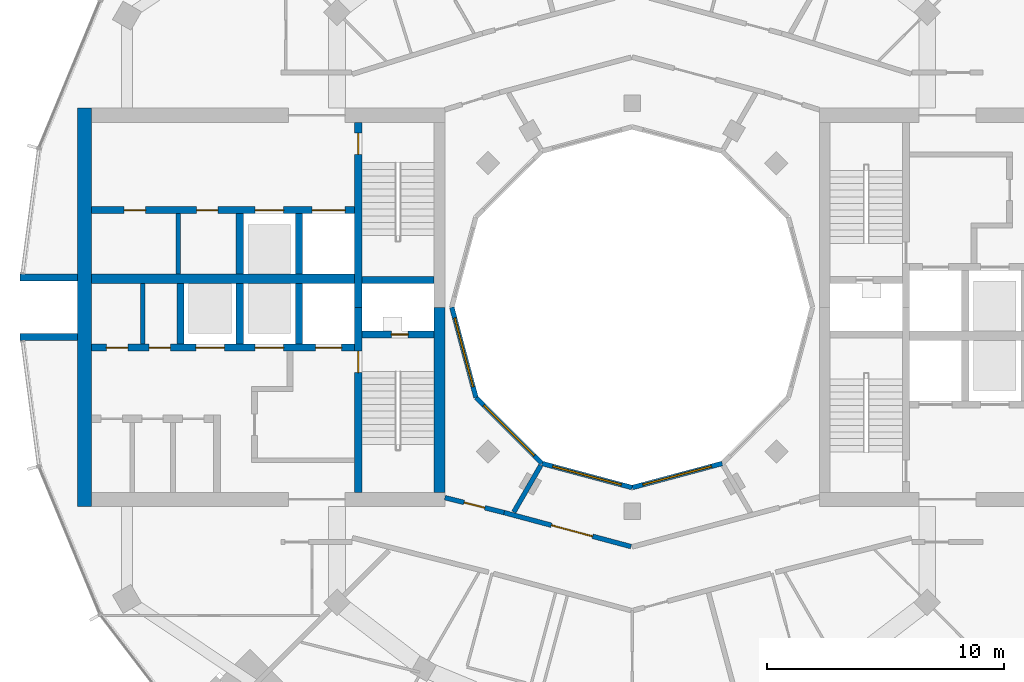
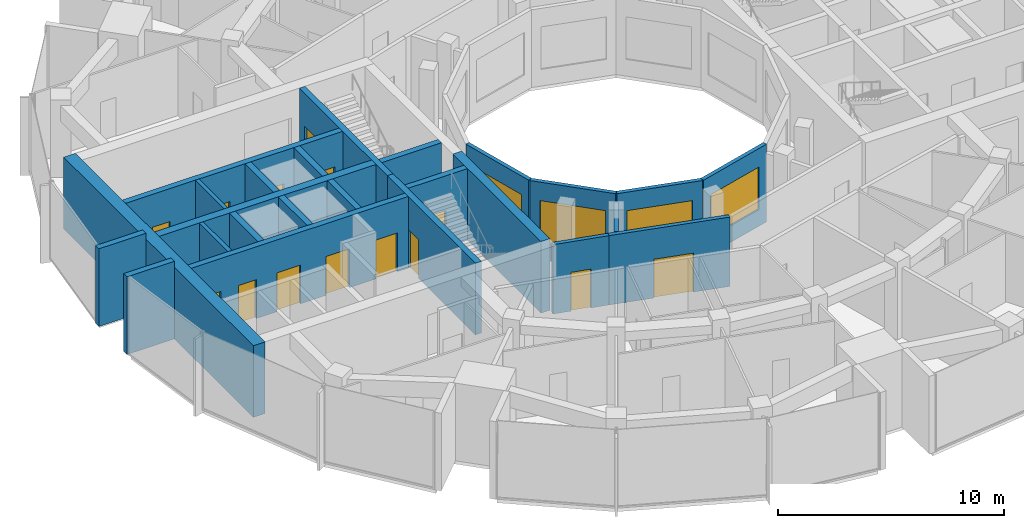
# One storey, part 9 of 15: 25 walls, 14 doors, 4 windows, 18 openings.
"""IFC4 building model written with IfcOpenShell, lengths in metres."""

import ifcopenshell
import ifcopenshell.guid

model = None  # the IFC model being written
_history = None  # IfcOwnerHistory: only IFC2X3 demands one
_inside = {}  # id of a spatial element -> (the spatial element, [elements in it])
_under = {}  # id of a project, library or spatial element -> (it, [spatial elements below it])
_declared = {}  # id of a project -> (the project, [libraries it declares])
_typed = {}  # id of a type object -> (the type object, [elements of that type])
_made_of = {}  # id of a material, layer set ... -> (it, [elements and type objects made of it])


def new_model(schema):
    """Start an empty IFC model of exactly this schema.

    Asked for "IFC4X3", IfcOpenShell would pick the latest addendum, in which some entities
    have other attributes; the version numbers below select the first issue.
    IFC2X3 requires an IfcOwnerHistory on every rooted entity: one is made here for all.
    """
    global model, _history
    if schema == "IFC4X3":
        model = ifcopenshell.file(schema_version=(4, 3, 0, 0))
    else:
        model = ifcopenshell.file(schema=schema)
    _inside.clear()
    _under.clear()
    _declared.clear()
    _typed.clear()
    _made_of.clear()
    _history = None
    if model.schema == "IFC2X3":
        org = make("IfcOrganization", Name="unknown")
        user = make(
            "IfcPersonAndOrganization",
            ThePerson=make("IfcPerson", FamilyName="unknown"),
            TheOrganization=org,
        )
        app = make(
            "IfcApplication",
            ApplicationDeveloper=org,
            Version="unknown",
            ApplicationFullName="unknown",
            ApplicationIdentifier="unknown",
        )
        _history = make(
            "IfcOwnerHistory",
            OwningUser=user,
            OwningApplication=app,
            ChangeAction="ADDED",
            CreationDate=0,
        )
    return model


def make(cls, **values):
    """One entity of the class cls with the attributes given. An attribute that is None is left unset."""
    return model.create_entity(
        cls, **{name: value for name, value in values.items() if value is not None}
    )


def rooted(cls, **values):
    """An entity with a GlobalId (a new one), such as an element, a storey or a relation."""
    return make(cls, GlobalId=ifcopenshell.guid.new(), OwnerHistory=_history, **values)


def si_unit(unit_type, name, prefix=None):
    """IfcSIUnit, for example si_unit("LENGTHUNIT", "METRE", prefix="MILLI")."""
    return make("IfcSIUnit", UnitType=unit_type, Prefix=prefix, Name=name)


def assignment(units):
    """IfcUnitAssignment: the units of a project."""
    return None if units is None else make("IfcUnitAssignment", Units=units)


def point(xyz):
    """IfcCartesianPoint."""
    return None if xyz is None else make("IfcCartesianPoint", Coordinates=xyz)


def direction(xyz):
    """IfcDirection."""
    return None if xyz is None else make("IfcDirection", DirectionRatios=xyz)


def frame(location, z_axis=None, x_axis=None):
    """IfcAxis2Placement3D, a coordinate frame: its origin and axes. An axis left out is left unset."""
    return make(
        "IfcAxis2Placement3D",
        Location=point(location),
        Axis=direction(z_axis),
        RefDirection=direction(x_axis),
    )


def frame_2d(location, x_axis=None):
    """IfcAxis2Placement2D, a coordinate frame in the plane: its origin and x axis."""
    return make(
        "IfcAxis2Placement2D", Location=point(location), RefDirection=direction(x_axis)
    )


def origin():
    """The frame at (0, 0, 0) with its axes left unset."""
    return frame((0.0, 0.0, 0.0))


def place(relative_to, where):
    """IfcLocalPlacement: puts the frame where relative to a parent placement (None: the world)."""
    return make(
        "IfcLocalPlacement", PlacementRelTo=relative_to, RelativePlacement=where
    )


def context(
    kind, dimensions, precision=None, world=None, true_north=None, identifier=None
):
    """IfcGeometricRepresentationContext, for example the 3D "Model" context."""
    return make(
        "IfcGeometricRepresentationContext",
        ContextIdentifier=identifier,
        ContextType=kind,
        CoordinateSpaceDimension=dimensions,
        Precision=precision,
        WorldCoordinateSystem=world,
        TrueNorth=true_north,
    )


def subcontext(parent, identifier, kind, view, scale=None):
    """IfcGeometricRepresentationSubContext, for example "Body" below "Model"."""
    return make(
        "IfcGeometricRepresentationSubContext",
        ContextIdentifier=identifier,
        ContextType=kind,
        ParentContext=parent,
        TargetScale=scale,
        TargetView=view,
    )


def project(units=None, contexts=None):
    """IfcProject with its units and contexts."""
    return rooted(
        "IfcProject",
        Name="project",
        RepresentationContexts=contexts,
        UnitsInContext=assignment(units),
    )


def spatial(cls, under=None, at=None, **own):
    """A site, building, storey or space (cls), placed at a placement, below another one or the project."""
    s = rooted(cls, ObjectPlacement=at, **own)
    if under is not None:
        _under.setdefault(under.id(), (under, []))[1].append(s)
    return s


def profile(cls, at=None, kind="AREA", **sizes):
    """A parametric profile (cls). Its sizes go by their IFC names, for example OverallWidth=200.0."""
    return make(cls, ProfileType=kind, Position=at, **sizes)


def rectangle(**sizes):
    """IfcRectangleProfileDef."""
    return profile("IfcRectangleProfileDef", **sizes)


def extrude(swept, where, along, depth):
    """IfcExtrudedAreaSolid: the profile swept, set in the frame where, extruded along a direction by depth."""
    return make(
        "IfcExtrudedAreaSolid",
        SweptArea=swept,
        Position=where,
        ExtrudedDirection=direction(along),
        Depth=depth,
    )


def shape(context_of_items, identifier, shape_type, items):
    """IfcShapeRepresentation: the items that make up one representation, for example the "Body"."""
    return make(
        "IfcShapeRepresentation",
        ContextOfItems=context_of_items,
        RepresentationIdentifier=identifier,
        RepresentationType=shape_type,
        Items=items,
    )


def material(Name=None, Category=None):
    """IfcMaterial."""
    return make("IfcMaterial", Name=Name, Category=Category)


def layer(
    of_material, thickness, ventilated=None, Name=None, Category=None, Priority=None
):
    """IfcMaterialLayer: one layer of a wall or slab, of a material (None: an air gap)."""
    return make(
        "IfcMaterialLayer",
        Material=of_material,
        LayerThickness=thickness,
        IsVentilated=ventilated,
        Name=Name,
        Category=Category,
        Priority=Priority,
    )


def layer_set(layers, Name=None):
    """IfcMaterialLayerSet."""
    return make("IfcMaterialLayerSet", MaterialLayers=layers, LayerSetName=Name)


def made_of(thing, what):
    """Note that an element or type object is made of a material, layer set ...; save() writes the relation."""
    if what is not None:
        _made_of.setdefault(what.id(), (what, []))[1].append(thing)
    return thing


def type_object(cls, material=None, **own):
    """A type object (cls), such as IfcWallType, which elements share."""
    return made_of(rooted(cls, **own), material)


def element(
    cls,
    number,
    at=None,
    inside=None,
    cuts=None,
    type_object=None,
    material=None,
    context=None,
    identifier="Body",
    shape_type=None,
    held_by="IfcProductDefinitionShape",
    body=None,
    shapes=None,
    **own,
):
    """One element of the class cls, such as IfcWall. Its Tag is "e" and its number.

    at: its placement. inside: the storey or other place that contains it. cuts: it is an
    opening in that element (IfcRelVoidsElement). A single representation is given by context,
    identifier, shape_type and body (its items); several are given by shapes. held_by: the class
    of the entity that holds the representations. save() writes the other relations.
    """
    e = rooted(cls, Tag="e%d" % number, ObjectPlacement=at, **own)
    if body is not None:
        shapes = [shape(context, identifier, shape_type, body)]
    if shapes is not None:
        e.Representation = make(held_by, Representations=shapes)
    if inside is not None:
        _inside.setdefault(inside.id(), (inside, []))[1].append(e)
    if cuts is not None:
        rooted(
            "IfcRelVoidsElement", RelatingBuildingElement=cuts, RelatedOpeningElement=e
        )
    if type_object is not None:
        _typed.setdefault(type_object.id(), (type_object, []))[1].append(e)
    return made_of(e, material)


def fill(opening, filler):
    """IfcRelFillsElement: the door or window that sits in an opening."""
    return rooted(
        "IfcRelFillsElement",
        RelatingOpeningElement=opening,
        RelatedBuildingElement=filler,
    )


def aggregate(whole, parts):
    """IfcRelAggregates: a whole, such as a stair, and the parts it consists of."""
    return rooted("IfcRelAggregates", RelatingObject=whole, RelatedObjects=parts)


def save(model, path):
    """Write the relations noted so far, then the file.

    IfcRelAggregates (storeys below a building ...), IfcRelContainedInSpatialStructure (elements
    in a storey), IfcRelDefinesByType, IfcRelAssociatesMaterial and IfcRelDeclares: one each for
    every whole, place, type object, material and project.
    """
    for whole, parts in _under.values():
        aggregate(whole, parts)
    for where, things in _inside.values():
        rooted(
            "IfcRelContainedInSpatialStructure",
            RelatedElements=things,
            RelatingStructure=where,
        )
    for kind, things in _typed.values():
        rooted("IfcRelDefinesByType", RelatedObjects=things, RelatingType=kind)
    for what, things in _made_of.values():
        rooted("IfcRelAssociatesMaterial", RelatedObjects=things, RelatingMaterial=what)
    for by, libraries in _declared.values():
        rooted("IfcRelDeclares", RelatingContext=by, RelatedDefinitions=libraries)
    model.write(path)


model = new_model("IFC4")

# Units and contexts
model_context = context("Model", 3, precision=1e-05, world=origin(), true_north=direction((0.0, 1.0)))
body_context = subcontext(model_context, "Body", "Model", "MODEL_VIEW")
ifc_project = project(units=[si_unit("LENGTHUNIT", "METRE"), si_unit("AREAUNIT", "SQUARE_METRE"), si_unit("VOLUMEUNIT", "CUBIC_METRE"), si_unit("PLANEANGLEUNIT", "RADIAN"), si_unit("MASSUNIT", "GRAM", prefix="KILO")], contexts=[model_context])

# Site, building, storey
site_placement = place(None, origin())
site = spatial("IfcSite", under=ifc_project, at=site_placement, CompositionType="ELEMENT")
building_placement = place(site_placement, origin())
building = spatial("IfcBuilding", under=site, at=building_placement, Name="Torre Brocal", CompositionType="ELEMENT")
storey_placement = place(building_placement, frame((0.0, 0.0, 249.89990234375)))
storey = spatial("IfcBuildingStorey", under=building, at=storey_placement, Name="L57", CompositionType="ELEMENT", Elevation=249.89990234375)

# Walls
ifc_material_1 = material(Name="Masonry block", Category="masonry")
ifc_layer_1 = layer(ifc_material_1, 0.199951171875)
ifc_layer_set_1 = layer_set([ifc_layer_1], Name="Masonry block")
wall_type_1 = type_object("IfcWallType", Name="CORE PARTITION 200", PredefinedType="PARTITIONING", material=ifc_layer_set_1)
for number, where, z_axis, x_axis, name in (
    (1, (59.360107421875, 76.0, 0.0), (0.0, 0.0, 1.0), (0.0, -1.0, 0.0), "Wall CP200"),
    (2, (60.860107421875, 78.949951171875, 0.0), (0.0, 0.0, 1.0), (0.0, -1.0, 0.0), "Wall CP200"),
):
    element("IfcWall", number, at=place(storey_placement, frame(where, z_axis=z_axis, x_axis=x_axis)), inside=storey, type_object=wall_type_1, Name=name, PredefinedType="PARTITIONING", context=body_context, shape_type="SweptSolid", body=[
        extrude(rectangle(XDim=2.550048828125, YDim=0.199951171875, at=frame_2d((1.27490234375, 0.0))), origin(), (0.0, 0.0, 1.0), 3.880126953125),
    ])

# Wall, opening, door
ifc_material_2 = material(Name="Concrete C60", Category="concrete")
ifc_layer_2 = layer(ifc_material_2, 0.300048828125)
ifc_layer_set_2 = layer_set([ifc_layer_2], Name="Concrete C60")
wall_type_2 = type_object("IfcWallType", Name="CORE WALL 300 C60", PredefinedType="SHEAR", material=ifc_layer_set_2)
wall_1_placement = place(storey_placement, frame((68.449951171875, 75.0, 0.0), z_axis=(0.0, 0.0, 1.0), x_axis=(0.0, -1.0, 0.0)))
wall_1 = element("IfcWall", 3, at=wall_1_placement, inside=storey, type_object=wall_type_2, Name="Wall CW300-60", PredefinedType="SHEAR", context=body_context, shape_type="SweptSolid", body=[
    extrude(rectangle(XDim=7.800048828125, YDim=0.300048828125, at=frame_2d((3.89990234375, 0.0))), origin(), (0.0, 0.0, 1.0), 3.880126953125),
])
opening_1_placement = place(wall_1_placement, frame((1.85009765625, 0.0, 0.0)))
opening_1 = element("IfcOpeningElement", 4, at=opening_1_placement, cuts=wall_1, Name="Opening W-D02", PredefinedType="OPENING", context=body_context, shape_type="SweptSolid", body=[
    extrude(rectangle(XDim=0.89990234375, YDim=2.10009765625, at=frame_2d((0.449951171875, 1.050048828125))), frame((0.0, 0.159912109375, 0.0), z_axis=(0.0, -1.0, 0.0), x_axis=(1.0, 0.0, 0.0)), (0.0, 0.0, 1.0), 0.320068359375),
])
ifc_material_3 = material(Name="Steel A653", Category="steel")
door_type_1 = type_object("IfcDoorType", Name="STAIR DOOR FD120 900X2100", OperationType="SINGLE_SWING_RIGHT", PredefinedType="DOOR", material=ifc_material_3)
door_1_placement = place(opening_1_placement, origin())
door_1 = element("IfcDoor", 5, at=door_1_placement, inside=storey, type_object=door_type_1, Name="Door W-D02", OperationType="SINGLE_SWING_LEFT", OverallHeight=2.10009765625, OverallWidth=0.89990234375, PredefinedType="DOOR", context=body_context, shape_type="SweptSolid", body=[
    extrude(rectangle(XDim=0.89990234375, YDim=2.10009765625, at=frame_2d((0.449951171875, 1.050048828125))), frame((0.0, 0.02490234375, 0.0), z_axis=(0.0, -1.0, 0.0), x_axis=(1.0, 0.0, 0.0)), (0.0, 0.0, 1.0), 0.050048828125),
])
fill(opening_1, door_1)

wall_2_placement = place(storey_placement, frame((68.449951171875, 82.800048828125, 0.0), z_axis=(0.0, 0.0, 1.0), x_axis=(0.0, -1.0, 0.0)))
wall_2 = element("IfcWall", 6, at=wall_2_placement, inside=storey, type_object=wall_type_2, Name="Wall CW300-60", PredefinedType="SHEAR", context=body_context, shape_type="SweptSolid", body=[
    extrude(rectangle(XDim=7.800048828125, YDim=0.300048828125, at=frame_2d((3.89990234375, 0.0))), origin(), (0.0, 0.0, 1.0), 3.880126953125),
])
opening_2_placement = place(wall_2_placement, frame((0.449951171875, 0.0, 0.0)))
opening_2 = element("IfcOpeningElement", 7, at=opening_2_placement, cuts=wall_2, Name="Opening W-D03", PredefinedType="OPENING", context=body_context, shape_type="SweptSolid", body=[
    extrude(rectangle(XDim=0.89990234375, YDim=2.10009765625, at=frame_2d((0.449951171875, 1.050048828125))), frame((0.0, 0.159912109375, 0.0), z_axis=(0.0, -1.0, 0.0), x_axis=(1.0, 0.0, 0.0)), (0.0, 0.0, 1.0), 0.320068359375),
])
door_2_placement = place(opening_2_placement, origin())
door_2 = element("IfcDoor", 8, at=door_2_placement, inside=storey, type_object=door_type_1, Name="Door W-D03", OperationType="SINGLE_SWING_LEFT", OverallHeight=2.10009765625, OverallWidth=0.89990234375, PredefinedType="DOOR", context=body_context, shape_type="SweptSolid", body=[
    extrude(rectangle(XDim=0.89990234375, YDim=2.10009765625, at=frame_2d((0.449951171875, 1.050048828125))), frame((0.0, 0.02490234375, 0.0), z_axis=(0.0, -1.0, 0.0), x_axis=(1.0, 0.0, 0.0)), (0.0, 0.0, 1.0), 0.050048828125),
])
fill(opening_2, door_2)

wall_3_placement = place(storey_placement, frame((71.64990234375, 73.85009765625, 0.0), z_axis=(0.0, 0.0, 1.0), x_axis=(-1.0, 0.0, 0.0)))
wall_3 = element("IfcWall", 9, at=wall_3_placement, inside=storey, type_object=wall_type_2, Name="Wall CW300-60", PredefinedType="SHEAR", context=body_context, shape_type="SweptSolid", body=[
    extrude(rectangle(XDim=3.0498046875, YDim=0.300048828125, at=frame_2d((1.52490234375, 0.0))), origin(), (0.0, 0.0, 1.0), 3.880126953125),
])
opening_3_placement = place(wall_3_placement, frame((1.10009765625, 0.0, 0.0)))
opening_3 = element("IfcOpeningElement", 10, at=opening_3_placement, cuts=wall_3, Name="Opening W-D01", PredefinedType="OPENING", context=body_context, shape_type="SweptSolid", body=[
    extrude(rectangle(XDim=0.699951171875, YDim=2.0, at=frame_2d((0.35009765625, 1.0))), frame((0.0, 0.159912109375, 0.0), z_axis=(0.0, -1.0, 0.0), x_axis=(1.0, 0.0, 0.0)), (0.0, 0.0, 1.0), 0.320068359375),
])
ifc_material_4 = material(Name="Steel A653", Category="steel")
door_type_2 = type_object("IfcDoorType", Name="RISER DOOR FD120 700X2000", OperationType="SINGLE_SWING_LEFT", PredefinedType="DOOR", material=ifc_material_4)
door_3_placement = place(opening_3_placement, frame((0.699951171875, 0.0, 0.0), z_axis=(0.0, 0.0, 1.0), x_axis=(-1.0, 0.0, 0.0)))
door_3 = element("IfcDoor", 11, at=door_3_placement, inside=storey, type_object=door_type_2, Name="Door W-D01", OperationType="SINGLE_SWING_RIGHT", OverallHeight=2.0, OverallWidth=0.699951171875, PredefinedType="DOOR", context=body_context, shape_type="SweptSolid", body=[
    extrude(rectangle(XDim=0.699951171875, YDim=2.0, at=frame_2d((0.35009765625, 1.0))), frame((0.0, 0.02490234375, 0.0), z_axis=(0.0, -1.0, 0.0), x_axis=(1.0, 0.0, 0.0)), (0.0, 0.0, 1.0), 0.050048828125),
])
fill(opening_3, door_3)

# Wall
wall_4_placement = place(storey_placement, frame((71.64990234375, 76.14990234375, 0.0), z_axis=(0.0, 0.0, 1.0), x_axis=(-1.0, 0.0, 0.0)))
element("IfcWall", 12, at=wall_4_placement, inside=storey, type_object=wall_type_2, Name="Wall CW300-60", PredefinedType="SHEAR", context=body_context, shape_type="SweptSolid", body=[
    extrude(rectangle(XDim=3.0498046875, YDim=0.300048828125, at=frame_2d((1.52490234375, 0.0))), origin(), (0.0, 0.0, 1.0), 3.880126953125),
])

# Wall, openings, doors
wall_5_placement = place(storey_placement, frame((68.300048828125, 73.300048828125, 0.0), z_axis=(0.0, 0.0, 1.0), x_axis=(-1.0, 0.0, 0.0)))
wall_5 = element("IfcWall", 13, at=wall_5_placement, inside=storey, type_object=wall_type_2, Name="Wall CW300-60", PredefinedType="SHEAR", context=body_context, shape_type="SweptSolid", body=[
    extrude(rectangle(XDim=11.10009765625, YDim=0.300048828125, at=frame_2d((5.550048828125, 0.0))), origin(), (0.0, 0.0, 1.0), 3.880126953125),
])
opening_4_placement = place(wall_5_placement, frame((0.550048828125, 0.0, 0.0)))
opening_4 = element("IfcOpeningElement", 14, at=opening_4_placement, cuts=wall_5, Name="Opening LD", PredefinedType="OPENING", context=body_context, shape_type="SweptSolid", body=[
    extrude(rectangle(XDim=1.10009765625, YDim=2.10009765625, at=frame_2d((0.550048828125, 1.050048828125))), frame((0.0, 0.159912109375, 0.0), z_axis=(0.0, -1.0, 0.0), x_axis=(1.0, 0.0, 0.0)), (0.0, 0.0, 1.0), 0.320068359375),
])
opening_5_placement = place(wall_5_placement, frame((3.0, 0.0, 0.0)))
opening_5 = element("IfcOpeningElement", 15, at=opening_5_placement, cuts=wall_5, Name="Opening LD12", PredefinedType="OPENING", context=body_context, shape_type="SweptSolid", body=[
    extrude(rectangle(XDim=1.199951171875, YDim=2.10009765625, at=frame_2d((0.60009765625, 1.050048828125))), frame((0.0, 0.159912109375, 0.0), z_axis=(0.0, -1.0, 0.0), x_axis=(1.0, 0.0, 0.0)), (0.0, 0.0, 1.0), 0.320068359375),
])
opening_6_placement = place(wall_5_placement, frame((5.5, 0.0, 0.0)))
opening_6 = element("IfcOpeningElement", 16, at=opening_6_placement, cuts=wall_5, Name="Opening LD12", PredefinedType="OPENING", context=body_context, shape_type="SweptSolid", body=[
    extrude(rectangle(XDim=1.199951171875, YDim=2.10009765625, at=frame_2d((0.60009765625, 1.050048828125))), frame((0.0, 0.159912109375, 0.0), z_axis=(0.0, -1.0, 0.0), x_axis=(1.0, 0.0, 0.0)), (0.0, 0.0, 1.0), 0.320068359375),
])
opening_7_placement = place(wall_5_placement, frame((7.77001953125, 0.0, 0.0)))
opening_7 = element("IfcOpeningElement", 17, at=opening_7_placement, cuts=wall_5, Name="Opening W-D04", PredefinedType="OPENING", context=body_context, shape_type="SweptSolid", body=[
    extrude(rectangle(XDim=0.89990234375, YDim=2.10009765625, at=frame_2d((0.449951171875, 1.050048828125))), frame((0.0, 0.159912109375, 0.0), z_axis=(0.0, -1.0, 0.0), x_axis=(1.0, 0.0, 0.0)), (0.0, 0.0, 1.0), 0.320068359375),
])
opening_8_placement = place(wall_5_placement, frame((9.570068359375, 0.0, 0.0)))
opening_8 = element("IfcOpeningElement", 18, at=opening_8_placement, cuts=wall_5, Name="Opening W-D05", PredefinedType="OPENING", context=body_context, shape_type="SweptSolid", body=[
    extrude(rectangle(XDim=0.89990234375, YDim=2.10009765625, at=frame_2d((0.449951171875, 1.050048828125))), frame((0.0, 0.159912109375, 0.0), z_axis=(0.0, -1.0, 0.0), x_axis=(1.0, 0.0, 0.0)), (0.0, 0.0, 1.0), 0.320068359375),
])
ifc_material_5 = material(Name="Stainless steel AISI 316", Category="steel")
door_type_3 = type_object("IfcDoorType", Name="LIFT LANDING DOOR 1100X2100", OperationType="DOUBLE_DOOR_SLIDING", PredefinedType="DOOR", material=ifc_material_5)
door_4_placement = place(opening_4_placement, origin())
door_4 = element("IfcDoor", 19, at=door_4_placement, inside=storey, type_object=door_type_3, Name="Door LD", OperationType="DOUBLE_DOOR_SLIDING", OverallHeight=2.10009765625, OverallWidth=1.10009765625, PredefinedType="DOOR", context=body_context, shape_type="SweptSolid", body=[
    extrude(rectangle(XDim=1.10009765625, YDim=2.10009765625, at=frame_2d((0.550048828125, 1.050048828125))), frame((0.0, 0.02490234375, 0.0), z_axis=(0.0, -1.0, 0.0), x_axis=(1.0, 0.0, 0.0)), (0.0, 0.0, 1.0), 0.050048828125),
])
fill(opening_4, door_4)
ifc_material_6 = material(Name="Stainless steel AISI 316", Category="steel")
door_type_4 = type_object("IfcDoorType", Name="LIFT LANDING DOOR 1200X2100", OperationType="DOUBLE_DOOR_SLIDING", PredefinedType="DOOR", material=ifc_material_6)
door_5_placement = place(opening_5_placement, origin())
door_5 = element("IfcDoor", 20, at=door_5_placement, inside=storey, type_object=door_type_4, Name="Door LD12", OperationType="DOUBLE_DOOR_SLIDING", OverallHeight=2.10009765625, OverallWidth=1.199951171875, PredefinedType="DOOR", context=body_context, shape_type="SweptSolid", body=[
    extrude(rectangle(XDim=1.199951171875, YDim=2.10009765625, at=frame_2d((0.60009765625, 1.050048828125))), frame((0.0, 0.02490234375, 0.0), z_axis=(0.0, -1.0, 0.0), x_axis=(1.0, 0.0, 0.0)), (0.0, 0.0, 1.0), 0.050048828125),
])
fill(opening_5, door_5)
door_6_placement = place(opening_6_placement, origin())
door_6 = element("IfcDoor", 21, at=door_6_placement, inside=storey, type_object=door_type_4, Name="Door LD12", OperationType="DOUBLE_DOOR_SLIDING", OverallHeight=2.10009765625, OverallWidth=1.199951171875, PredefinedType="DOOR", context=body_context, shape_type="SweptSolid", body=[
    extrude(rectangle(XDim=1.199951171875, YDim=2.10009765625, at=frame_2d((0.60009765625, 1.050048828125))), frame((0.0, 0.02490234375, 0.0), z_axis=(0.0, -1.0, 0.0), x_axis=(1.0, 0.0, 0.0)), (0.0, 0.0, 1.0), 0.050048828125),
])
fill(opening_6, door_6)
ifc_material_7 = material(Name="Steel A653", Category="steel")
door_type_5 = type_object("IfcDoorType", Name="ROOM DOOR FD30S 900X2100", OperationType="SINGLE_SWING_LEFT", PredefinedType="DOOR", material=ifc_material_7)
door_7_placement = place(opening_7_placement, frame((0.89990234375, 0.0, 0.0), z_axis=(0.0, 0.0, 1.0), x_axis=(-1.0, 0.0, 0.0)))
door_7 = element("IfcDoor", 22, at=door_7_placement, inside=storey, type_object=door_type_5, Name="Door W-D04", OperationType="SINGLE_SWING_LEFT", OverallHeight=2.10009765625, OverallWidth=0.89990234375, PredefinedType="DOOR", context=body_context, shape_type="SweptSolid", body=[
    extrude(rectangle(XDim=0.89990234375, YDim=2.10009765625, at=frame_2d((0.449951171875, 1.050048828125))), frame((0.0, 0.02490234375, 0.0), z_axis=(0.0, -1.0, 0.0), x_axis=(1.0, 0.0, 0.0)), (0.0, 0.0, 1.0), 0.050048828125),
])
fill(opening_7, door_7)
door_8_placement = place(opening_8_placement, frame((0.89990234375, 0.0, 0.0), z_axis=(0.0, 0.0, 1.0), x_axis=(-1.0, 0.0, 0.0)))
door_8 = element("IfcDoor", 23, at=door_8_placement, inside=storey, type_object=door_type_5, Name="Door W-D05", OperationType="SINGLE_SWING_RIGHT", OverallHeight=2.10009765625, OverallWidth=0.89990234375, PredefinedType="DOOR", context=body_context, shape_type="SweptSolid", body=[
    extrude(rectangle(XDim=0.89990234375, YDim=2.10009765625, at=frame_2d((0.449951171875, 1.050048828125))), frame((0.0, 0.02490234375, 0.0), z_axis=(0.0, -1.0, 0.0), x_axis=(1.0, 0.0, 0.0)), (0.0, 0.0, 1.0), 0.050048828125),
])
fill(opening_8, door_8)

wall_6_placement = place(storey_placement, frame((68.300048828125, 79.10009765625, 0.0), z_axis=(0.0, 0.0, 1.0), x_axis=(-1.0, 0.0, 0.0)))
wall_6 = element("IfcWall", 24, at=wall_6_placement, inside=storey, type_object=wall_type_2, Name="Wall CW300-60", PredefinedType="SHEAR", context=body_context, shape_type="SweptSolid", body=[
    extrude(rectangle(XDim=11.10009765625, YDim=0.300048828125, at=frame_2d((5.550048828125, 0.0))), origin(), (0.0, 0.0, 1.0), 3.880126953125),
])
opening_9_placement = place(wall_6_placement, frame((0.39990234375, 0.0, 0.0)))
opening_9 = element("IfcOpeningElement", 25, at=opening_9_placement, cuts=wall_6, Name="Opening LD14", PredefinedType="OPENING", context=body_context, shape_type="SweptSolid", body=[
    extrude(rectangle(XDim=1.39990234375, YDim=2.10009765625, at=frame_2d((0.699951171875, 1.050048828125))), frame((0.0, 0.159912109375, 0.0), z_axis=(0.0, -1.0, 0.0), x_axis=(1.0, 0.0, 0.0)), (0.0, 0.0, 1.0), 0.320068359375),
])
opening_10_placement = place(wall_6_placement, frame((3.0, 0.0, 0.0)))
opening_10 = element("IfcOpeningElement", 26, at=opening_10_placement, cuts=wall_6, Name="Opening LD12", PredefinedType="OPENING", context=body_context, shape_type="SweptSolid", body=[
    extrude(rectangle(XDim=1.199951171875, YDim=2.10009765625, at=frame_2d((0.60009765625, 1.050048828125))), frame((0.0, 0.159912109375, 0.0), z_axis=(0.0, -1.0, 0.0), x_axis=(1.0, 0.0, 0.0)), (0.0, 0.0, 1.0), 0.320068359375),
])
opening_11_placement = place(wall_6_placement, frame((5.77001953125, 0.0, 0.0)))
opening_11 = element("IfcOpeningElement", 27, at=opening_11_placement, cuts=wall_6, Name="Opening W-D06", PredefinedType="OPENING", context=body_context, shape_type="SweptSolid", body=[
    extrude(rectangle(XDim=0.89990234375, YDim=2.10009765625, at=frame_2d((0.449951171875, 1.050048828125))), frame((0.0, 0.159912109375, 0.0), z_axis=(0.0, -1.0, 0.0), x_axis=(1.0, 0.0, 0.0)), (0.0, 0.0, 1.0), 0.320068359375),
])
opening_12_placement = place(wall_6_placement, frame((8.820068359375, 0.0, 0.0)))
opening_12 = element("IfcOpeningElement", 28, at=opening_12_placement, cuts=wall_6, Name="Opening W-D07", PredefinedType="OPENING", context=body_context, shape_type="SweptSolid", body=[
    extrude(rectangle(XDim=0.89990234375, YDim=2.10009765625, at=frame_2d((0.449951171875, 1.050048828125))), frame((0.0, 0.159912109375, 0.0), z_axis=(0.0, -1.0, 0.0), x_axis=(1.0, 0.0, 0.0)), (0.0, 0.0, 1.0), 0.320068359375),
])
door_9_placement = place(opening_10_placement, origin())
door_9 = element("IfcDoor", 29, at=door_9_placement, inside=storey, type_object=door_type_4, Name="Door LD12", OperationType="DOUBLE_DOOR_SLIDING", OverallHeight=2.10009765625, OverallWidth=1.199951171875, PredefinedType="DOOR", context=body_context, shape_type="SweptSolid", body=[
    extrude(rectangle(XDim=1.199951171875, YDim=2.10009765625, at=frame_2d((0.60009765625, 1.050048828125))), frame((0.0, 0.02490234375, 0.0), z_axis=(0.0, -1.0, 0.0), x_axis=(1.0, 0.0, 0.0)), (0.0, 0.0, 1.0), 0.050048828125),
])
fill(opening_10, door_9)
ifc_material_8 = material(Name="Stainless steel AISI 316", Category="steel")
door_type_6 = type_object("IfcDoorType", Name="LIFT LANDING DOOR 1400X2100", OperationType="DOUBLE_DOOR_SLIDING", PredefinedType="DOOR", material=ifc_material_8)
door_10_placement = place(opening_9_placement, origin())
door_10 = element("IfcDoor", 30, at=door_10_placement, inside=storey, type_object=door_type_6, Name="Door LD14", OperationType="DOUBLE_DOOR_SLIDING", OverallHeight=2.10009765625, OverallWidth=1.39990234375, PredefinedType="DOOR", context=body_context, shape_type="SweptSolid", body=[
    extrude(rectangle(XDim=1.39990234375, YDim=2.10009765625, at=frame_2d((0.699951171875, 1.050048828125))), frame((0.0, 0.02490234375, 0.0), z_axis=(0.0, -1.0, 0.0), x_axis=(1.0, 0.0, 0.0)), (0.0, 0.0, 1.0), 0.050048828125),
])
fill(opening_9, door_10)
door_11_placement = place(opening_11_placement, origin())
door_11 = element("IfcDoor", 31, at=door_11_placement, inside=storey, type_object=door_type_5, Name="Door W-D06", OperationType="SINGLE_SWING_RIGHT", OverallHeight=2.10009765625, OverallWidth=0.89990234375, PredefinedType="DOOR", context=body_context, shape_type="SweptSolid", body=[
    extrude(rectangle(XDim=0.89990234375, YDim=2.10009765625, at=frame_2d((0.449951171875, 1.050048828125))), frame((0.0, 0.02490234375, 0.0), z_axis=(0.0, -1.0, 0.0), x_axis=(1.0, 0.0, 0.0)), (0.0, 0.0, 1.0), 0.050048828125),
])
fill(opening_11, door_11)
door_12_placement = place(opening_12_placement, origin())
door_12 = element("IfcDoor", 32, at=door_12_placement, inside=storey, type_object=door_type_5, Name="Door W-D07", OperationType="SINGLE_SWING_LEFT", OverallHeight=2.10009765625, OverallWidth=0.89990234375, PredefinedType="DOOR", context=body_context, shape_type="SweptSolid", body=[
    extrude(rectangle(XDim=0.89990234375, YDim=2.10009765625, at=frame_2d((0.449951171875, 1.050048828125))), frame((0.0, 0.02490234375, 0.0), z_axis=(0.0, -1.0, 0.0), x_axis=(1.0, 0.0, 0.0)), (0.0, 0.0, 1.0), 0.050048828125),
])
fill(opening_12, door_12)

# Walls
for number, where, z_axis, x_axis, name in (
    (33, (65.949951171875, 76.0, 0.0), (0.0, 0.0, 1.0), (0.0, -1.0, 0.0), "Wall CW300-60"),
    (34, (63.449951171875, 76.0, 0.0), (0.0, 0.0, 1.0), (0.0, -1.0, 0.0), "Wall CW300-60"),
    (35, (60.949951171875, 76.0, 0.0), (0.0, 0.0, 1.0), (0.0, -1.0, 0.0), "Wall CW300-60"),
    (36, (65.949951171875, 78.949951171875, 0.0), (0.0, 0.0, 1.0), (0.0, -1.0, 0.0), "Wall CW300-60"),
    (37, (63.449951171875, 78.949951171875, 0.0), (0.0, 0.0, 1.0), (0.0, -1.0, 0.0), "Wall CW300-60"),
):
    element("IfcWall", number, at=place(storey_placement, frame(where, z_axis=z_axis, x_axis=x_axis)), inside=storey, type_object=wall_type_2, Name=name, PredefinedType="SHEAR", context=body_context, shape_type="SweptSolid", body=[
        extrude(rectangle(XDim=2.550048828125, YDim=0.300048828125, at=frame_2d((1.27490234375, 0.0))), origin(), (0.0, 0.0, 1.0), 3.880126953125),
    ])
ifc_material_9 = material(Name="Concrete C60", Category="concrete")
ifc_layer_3 = layer(ifc_material_9, 0.39990234375)
ifc_layer_set_3 = layer_set([ifc_layer_3], Name="Concrete C60")
wall_type_3 = type_object("IfcWallType", Name="CORE WALL 400 C60", PredefinedType="SHEAR", material=ifc_layer_set_3)
wall_7_placement = place(storey_placement, frame((68.300048828125, 76.199951171875, 0.0), z_axis=(0.0, 0.0, 1.0), x_axis=(-1.0, 0.0, 0.0)))
element("IfcWall", 38, at=wall_7_placement, inside=storey, type_object=wall_type_3, Name="Wall CW400-60", PredefinedType="SHEAR", context=body_context, shape_type="SweptSolid", body=[
    extrude(rectangle(XDim=11.10009765625, YDim=0.39990234375, at=frame_2d((5.550048828125, 0.0))), origin(), (0.0, 0.0, 1.0), 3.880126953125),
])
ifc_material_10 = material(Name="Concrete C60", Category="concrete")
ifc_layer_4 = layer(ifc_material_10, 0.449951171875)
ifc_layer_set_4 = layer_set([ifc_layer_4], Name="Concrete C60")
wall_type_4 = type_object("IfcWallType", Name="CORE WALL 450 C60", PredefinedType="SHEAR", material=ifc_layer_set_4)
wall_8_placement = place(storey_placement, frame((71.875, 75.0, 0.0), z_axis=(0.0, 0.0, 1.0), x_axis=(0.0, -1.0, 0.0)))
element("IfcWall", 39, at=wall_8_placement, inside=storey, type_object=wall_type_4, Name="Wall CW450-60", PredefinedType="SHEAR", context=body_context, shape_type="SweptSolid", body=[
    extrude(rectangle(XDim=7.800048828125, YDim=0.449951171875, at=frame_2d((3.89990234375, 0.0))), origin(), (0.0, 0.0, 1.0), 3.880126953125),
])
ifc_material_11 = material(Name="Concrete C60", Category="concrete")
ifc_layer_5 = layer(ifc_material_11, 0.60009765625)
ifc_layer_set_5 = layer_set([ifc_layer_5], Name="Concrete C60")
wall_type_5 = type_object("IfcWallType", Name="CORE WALL 600 C60", PredefinedType="SHEAR", material=ifc_layer_set_5)
wall_9_placement = place(storey_placement, frame((56.89990234375, 83.39990234375, 0.0), z_axis=(0.0, 0.0, 1.0), x_axis=(0.0, -1.0, 0.0)))
element("IfcWall", 40, at=wall_9_placement, inside=storey, type_object=wall_type_5, Name="Wall CW600-60", PredefinedType="SHEAR", context=body_context, shape_type="SweptSolid", body=[
    extrude(rectangle(XDim=16.7998046875, YDim=0.60009765625, at=frame_2d((8.39990234375, 0.0))), origin(), (0.0, 0.0, 1.0), 3.880126953125),
])
ifc_material_12 = material(Name="Concrete C60", Category="concrete")
ifc_layer_6 = layer(ifc_material_12, 0.300048828125)
ifc_layer_set_6 = layer_set([ifc_layer_6], Name="Concrete C60")
wall_type_6 = type_object("IfcWallType", Name="NOTCH RETURN WALL 300 C60", PredefinedType="NOTDEFINED", material=ifc_layer_set_6)
for number, where, z_axis, x_axis, name in (
    (41, (56.60009765625, 76.25, 0.0), (0.0, 0.0, 1.0), (-1.0, 0.0, 0.0), "NOTCH RETURN WALL"),
    (42, (56.60009765625, 73.75, 0.0), (0.0, 0.0, 1.0), (-1.0, 0.0, 0.0), "NOTCH RETURN WALL"),
):
    element("IfcWall", number, at=place(storey_placement, frame(where, z_axis=z_axis, x_axis=x_axis)), inside=storey, type_object=wall_type_6, Name=name, PredefinedType="NOTDEFINED", context=body_context, shape_type="SweptSolid", body=[
        extrude(rectangle(XDim=2.415771484375, YDim=0.300048828125, at=frame_2d((1.2080078125, 0.0))), origin(), (0.0, 0.0, 1.0), 4.2001953125),
    ])

# Wall, opening, door
ifc_material_13 = material(Name="Gypsum board", Category="Gypsum")
ifc_layer_7 = layer(ifc_material_13, 0.199951171875)
ifc_layer_set_7 = layer_set([ifc_layer_7], Name="Gypsum board")
wall_type_7 = type_object("IfcWallType", Name="PARTITION 200 EI60", PredefinedType="PARTITIONING", material=ifc_layer_set_7)
wall_10_placement = place(storey_placement, frame((72.10009765625, 66.97509765625, 0.0), z_axis=(0.0, 0.0, 1.0), x_axis=(0.969471314457, -0.245204752086, 0.0)))
wall_10 = element("IfcWall", 43, at=wall_10_placement, inside=storey, type_object=wall_type_7, Name="CORRIDOR WALL", PredefinedType="PARTITIONING", context=body_context, shape_type="SweptSolid", body=[
    extrude(rectangle(XDim=2.581787109375, YDim=0.199951171875, at=frame_2d((1.291015625, 0.0))), origin(), (0.0, 0.0, 1.0), 3.75),
])
opening_13_placement = place(wall_10_placement, frame((0.8408203125, 0.0, 0.0)))
opening_13 = element("IfcOpeningElement", 44, at=opening_13_placement, cuts=wall_10, Name="Opening B04-D41", PredefinedType="OPENING", context=body_context, shape_type="SweptSolid", body=[
    extrude(rectangle(XDim=0.89990234375, YDim=2.10009765625, at=frame_2d((0.449951171875, 1.050048828125))), frame((0.0, 0.10986328125, 0.0), z_axis=(0.0, -1.0, 0.0), x_axis=(1.0, 0.0, 0.0)), (0.0, 0.0, 1.0), 0.219970703125),
])
ifc_material_14 = material(Name="Timber", Category="wood")
door_type_7 = type_object("IfcDoorType", Name="ROOM DOOR 900X2100", OperationType="SINGLE_SWING_LEFT", PredefinedType="DOOR", material=ifc_material_14)
door_13_placement = place(opening_13_placement, origin())
door_13 = element("IfcDoor", 45, at=door_13_placement, inside=storey, type_object=door_type_7, Name="B04-D41", OperationType="SINGLE_SWING_LEFT", OverallHeight=2.10009765625, OverallWidth=0.89990234375, PredefinedType="DOOR", context=body_context, shape_type="SweptSolid", body=[
    extrude(rectangle(XDim=0.89990234375, YDim=2.10009765625, at=frame_2d((0.449951171875, 1.050048828125))), frame((0.0, 0.02490234375, 0.0), z_axis=(0.0, -1.0, 0.0), x_axis=(1.0, 0.0, 0.0)), (0.0, 0.0, 1.0), 0.050048828125),
])
fill(opening_13, door_13)

wall_11_placement = place(storey_placement, frame((74.60302734375, 66.34228515625, 0.0), z_axis=(0.0, 0.0, 1.0), x_axis=(0.965895298152, -0.258932950796, 0.0)))
wall_11 = element("IfcWall", 46, at=wall_11_placement, inside=storey, type_object=wall_type_7, Name="CORRIDOR WALL", PredefinedType="PARTITIONING", context=body_context, shape_type="SweptSolid", body=[
    extrude(rectangle(XDim=5.53759765625, YDim=0.199951171875, at=frame_2d((2.768798828125, 0.0))), origin(), (0.0, 0.0, 1.0), 3.75),
])
opening_14_placement = place(wall_11_placement, frame((2.0625, 0.0, 0.0)))
opening_14 = element("IfcOpeningElement", 47, at=opening_14_placement, cuts=wall_11, Name="Opening B04-D40", PredefinedType="OPENING", context=body_context, shape_type="SweptSolid", body=[
    extrude(rectangle(XDim=1.800048828125, YDim=2.10009765625, at=frame_2d((0.89990234375, 1.050048828125))), frame((0.0, 0.10986328125, 0.0), z_axis=(0.0, -1.0, 0.0), x_axis=(1.0, 0.0, 0.0)), (0.0, 0.0, 1.0), 0.219970703125),
])
ifc_material_15 = material(Name="Timber", Category="wood")
door_type_8 = type_object("IfcDoorType", Name="DOUBLE DOOR 1800X2100", OperationType="DOUBLE_DOOR_SINGLE_SWING", PredefinedType="DOOR", material=ifc_material_15)
door_14_placement = place(opening_14_placement, origin())
door_14 = element("IfcDoor", 48, at=door_14_placement, inside=storey, type_object=door_type_8, Name="B04-D40", OperationType="DOUBLE_DOOR_SINGLE_SWING", OverallHeight=2.10009765625, OverallWidth=1.800048828125, PredefinedType="DOOR", context=body_context, shape_type="SweptSolid", body=[
    extrude(rectangle(XDim=1.800048828125, YDim=2.10009765625, at=frame_2d((0.89990234375, 1.050048828125))), frame((0.0, 0.02490234375, 0.0), z_axis=(0.0, -1.0, 0.0), x_axis=(1.0, 0.0, 0.0)), (0.0, 0.0, 1.0), 0.050048828125),
])
fill(opening_14, door_14)

# Wall
wall_12_placement = place(storey_placement, frame((75.01123046875, 66.363525390625, 0.0), z_axis=(0.0, 0.0, 1.0), x_axis=(0.500121996664, 0.86595495752, 0.0)))
element("IfcWall", 49, at=wall_12_placement, inside=storey, type_object=wall_type_7, Name="SERVICE ROOM WALL", PredefinedType="PARTITIONING", context=body_context, shape_type="SweptSolid", body=[
    extrude(rectangle(XDim=2.2744140625, YDim=0.199951171875, at=frame_2d((1.13720703125, 0.0))), origin(), (0.0, 0.0, 1.0), 3.75),
])

# Wall, opening, window
ifc_material_16 = material(Name="Concrete C40", Category="concrete")
ifc_layer_8 = layer(ifc_material_16, 0.199951171875)
ifc_layer_set_8 = layer_set([ifc_layer_8], Name="Concrete C40")
wall_type_8 = type_object("IfcWallType", Name="WELL FACADE WALL 200", PredefinedType="NOTDEFINED", material=ifc_layer_set_8)
wall_13_placement = place(storey_placement, frame((72.396484375, 75.0, 0.0), z_axis=(0.0, 0.0, 1.0), x_axis=(0.258789828301, -0.965933654434, 0.0)))
wall_13 = element("IfcWall", 50, at=wall_13_placement, inside=storey, type_object=wall_type_8, Name="WELL FACADE WALL", PredefinedType="NOTDEFINED", context=body_context, shape_type="SweptSolid", body=[
    extrude(rectangle(XDim=3.935791015625, YDim=0.199951171875, at=frame_2d((1.9677734375, 0.0))), origin(), (0.0, 0.0, 1.0), 4.2001953125),
])
opening_15_placement = place(wall_13_placement, frame((0.468017578125, 0.0, 0.89990234375)))
opening_15 = element("IfcOpeningElement", 51, at=opening_15_placement, cuts=wall_13, Name="Opening W1", PredefinedType="OPENING", context=body_context, shape_type="SweptSolid", body=[
    extrude(rectangle(XDim=3.0, YDim=2.300048828125, at=frame_2d((1.5, 1.14990234375))), frame((0.0, 0.10986328125, 0.0), z_axis=(0.0, -1.0, 0.0), x_axis=(1.0, 0.0, 0.0)), (0.0, 0.0, 1.0), 0.219970703125),
])
ifc_material_17 = material(Name="Aluminium and glass", Category="aluminium")
window_type = type_object("IfcWindowType", Name="WELL WINDOW 3000X2300", PartitioningType="SINGLE_PANEL", PredefinedType="WINDOW", material=ifc_material_17)
window_1_placement = place(opening_15_placement, origin())
window_1 = element("IfcWindow", 52, at=window_1_placement, inside=storey, type_object=window_type, Name="WELL WINDOW 3000X2300", OverallHeight=2.300048828125, OverallWidth=3.0, PartitioningType="SINGLE_PANEL", PredefinedType="WINDOW", context=body_context, shape_type="SweptSolid", body=[
    extrude(rectangle(XDim=3.0, YDim=2.300048828125, at=frame_2d((1.5, 1.14990234375))), frame((0.0, 0.030029296875, 0.0), z_axis=(0.0, -1.0, 0.0), x_axis=(1.0, 0.0, 0.0)), (0.0, 0.0, 1.0), 0.06005859375),
])
fill(opening_15, window_1)

wall_14_placement = place(storey_placement, frame((73.4150390625, 71.1982421875, 0.0), z_axis=(0.0, 0.0, 1.0), x_axis=(0.707106781187, -0.707106781187, 0.0)))
wall_14 = element("IfcWall", 53, at=wall_14_placement, inside=storey, type_object=wall_type_8, Name="WELL FACADE WALL", PredefinedType="NOTDEFINED", context=body_context, shape_type="SweptSolid", body=[
    extrude(rectangle(XDim=3.93603515625, YDim=0.199951171875, at=frame_2d((1.968017578125, 0.0))), origin(), (0.0, 0.0, 1.0), 4.2001953125),
])
opening_16_placement = place(wall_14_placement, frame((0.468017578125, 0.0, 0.89990234375)))
opening_16 = element("IfcOpeningElement", 54, at=opening_16_placement, cuts=wall_14, Name="Opening W1", PredefinedType="OPENING", context=body_context, shape_type="SweptSolid", body=[
    extrude(rectangle(XDim=3.0, YDim=2.300048828125, at=frame_2d((1.5, 1.14990234375))), frame((0.0, 0.10986328125, 0.0), z_axis=(0.0, -1.0, 0.0), x_axis=(1.0, 0.0, 0.0)), (0.0, 0.0, 1.0), 0.219970703125),
])
window_2_placement = place(opening_16_placement, origin())
window_2 = element("IfcWindow", 55, at=window_2_placement, inside=storey, type_object=window_type, Name="WELL WINDOW 3000X2300", OverallHeight=2.300048828125, OverallWidth=3.0, PartitioningType="SINGLE_PANEL", PredefinedType="WINDOW", context=body_context, shape_type="SweptSolid", body=[
    extrude(rectangle(XDim=3.0, YDim=2.300048828125, at=frame_2d((1.5, 1.14990234375))), frame((0.0, 0.030029296875, 0.0), z_axis=(0.0, -1.0, 0.0), x_axis=(1.0, 0.0, 0.0)), (0.0, 0.0, 1.0), 0.06005859375),
])
fill(opening_16, window_2)

wall_15_placement = place(storey_placement, frame((76.1982421875, 68.4150390625, 0.0), z_axis=(0.0, 0.0, 1.0), x_axis=(0.965933654434, -0.258789828301, 0.0)))
wall_15 = element("IfcWall", 56, at=wall_15_placement, inside=storey, type_object=wall_type_8, Name="WELL FACADE WALL", PredefinedType="NOTDEFINED", context=body_context, shape_type="SweptSolid", body=[
    extrude(rectangle(XDim=3.935791015625, YDim=0.199951171875, at=frame_2d((1.9677734375, 0.0))), origin(), (0.0, 0.0, 1.0), 4.2001953125),
])
opening_17_placement = place(wall_15_placement, frame((0.468017578125, 0.0, 0.89990234375)))
opening_17 = element("IfcOpeningElement", 57, at=opening_17_placement, cuts=wall_15, Name="Opening W1", PredefinedType="OPENING", context=body_context, shape_type="SweptSolid", body=[
    extrude(rectangle(XDim=3.0, YDim=2.300048828125, at=frame_2d((1.5, 1.14990234375))), frame((0.0, 0.10986328125, 0.0), z_axis=(0.0, -1.0, 0.0), x_axis=(1.0, 0.0, 0.0)), (0.0, 0.0, 1.0), 0.219970703125),
])
window_3_placement = place(opening_17_placement, origin())
window_3 = element("IfcWindow", 58, at=window_3_placement, inside=storey, type_object=window_type, Name="WELL WINDOW 3000X2300", OverallHeight=2.300048828125, OverallWidth=3.0, PartitioningType="SINGLE_PANEL", PredefinedType="WINDOW", context=body_context, shape_type="SweptSolid", body=[
    extrude(rectangle(XDim=3.0, YDim=2.300048828125, at=frame_2d((1.5, 1.14990234375))), frame((0.0, 0.030029296875, 0.0), z_axis=(0.0, -1.0, 0.0), x_axis=(1.0, 0.0, 0.0)), (0.0, 0.0, 1.0), 0.06005859375),
])
fill(opening_17, window_3)

wall_16_placement = place(storey_placement, frame((80.0, 67.396484375, 0.0), z_axis=(0.0, 0.0, 1.0), x_axis=(0.965933654434, 0.258789828301, 0.0)))
wall_16 = element("IfcWall", 59, at=wall_16_placement, inside=storey, type_object=wall_type_8, Name="WELL FACADE WALL", PredefinedType="NOTDEFINED", context=body_context, shape_type="SweptSolid", body=[
    extrude(rectangle(XDim=3.935791015625, YDim=0.199951171875, at=frame_2d((1.9677734375, 0.0))), origin(), (0.0, 0.0, 1.0), 4.2001953125),
])
opening_18_placement = place(wall_16_placement, frame((0.468017578125, 0.0, 0.89990234375)))
opening_18 = element("IfcOpeningElement", 60, at=opening_18_placement, cuts=wall_16, Name="Opening W1", PredefinedType="OPENING", context=body_context, shape_type="SweptSolid", body=[
    extrude(rectangle(XDim=3.0, YDim=2.300048828125, at=frame_2d((1.5, 1.14990234375))), frame((0.0, 0.10986328125, 0.0), z_axis=(0.0, -1.0, 0.0), x_axis=(1.0, 0.0, 0.0)), (0.0, 0.0, 1.0), 0.219970703125),
])
window_4_placement = place(opening_18_placement, origin())
window_4 = element("IfcWindow", 61, at=window_4_placement, inside=storey, type_object=window_type, Name="WELL WINDOW 3000X2300", OverallHeight=2.300048828125, OverallWidth=3.0, PartitioningType="SINGLE_PANEL", PredefinedType="WINDOW", context=body_context, shape_type="SweptSolid", body=[
    extrude(rectangle(XDim=3.0, YDim=2.300048828125, at=frame_2d((1.5, 1.14990234375))), frame((0.0, 0.030029296875, 0.0), z_axis=(0.0, -1.0, 0.0), x_axis=(1.0, 0.0, 0.0)), (0.0, 0.0, 1.0), 0.06005859375),
])
fill(opening_18, window_4)

save(model, "model.ifc")
